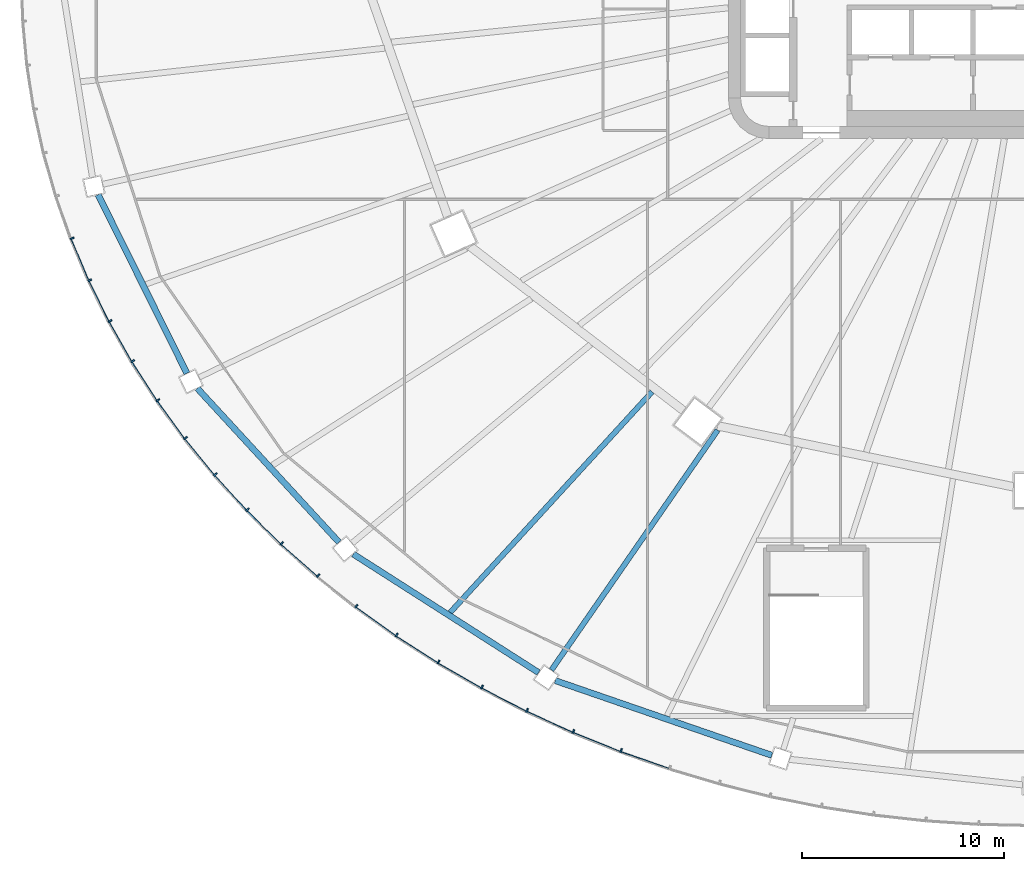
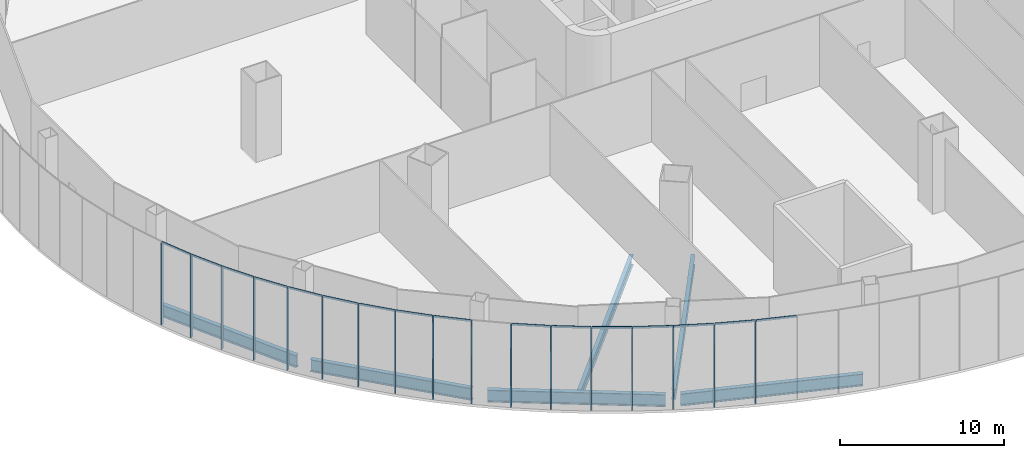
# One storey, part 2 of 33: 33 members, 6 beams, 4 elements without a shape of their own.
"""IFC4 building model written with IfcOpenShell, lengths in metres."""

from ifc_helpers import new_model, si_unit, direction, frame, origin, origin_2d, place, context, subcontext, project, spatial, rectangle, i_section, extrude, material, layer, layer_set, material_profile, profile_set, type_object, element, aggregate, save


model = new_model("IFC4")

# Units and contexts
model_context = context("Model", 3, precision=1e-05, world=origin(), true_north=direction((0.0, 1.0)))
body_context = subcontext(model_context, "Body", "Model", "MODEL_VIEW")
ifc_project = project(units=[si_unit("LENGTHUNIT", "METRE"), si_unit("AREAUNIT", "SQUARE_METRE"), si_unit("VOLUMEUNIT", "CUBIC_METRE"), si_unit("PLANEANGLEUNIT", "RADIAN"), si_unit("MASSUNIT", "GRAM", prefix="KILO")], contexts=[model_context])

# Site, building, storey
site_placement = place(None, origin())
site = spatial("IfcSite", under=ifc_project, at=site_placement, CompositionType="ELEMENT")
building_placement = place(site_placement, origin())
building = spatial("IfcBuilding", under=site, at=building_placement, Name="Sahrelin Media Tower", CompositionType="ELEMENT")
storey_placement = place(building_placement, frame((0.0, 0.0, 37.39990234375)))
storey = spatial("IfcBuildingStorey", under=building, at=storey_placement, Name="L05", CompositionType="ELEMENT", Elevation=37.39990234375)

# Curtain wall, members
ifc_material_1 = material(Name="Champagne anodised aluminium 6063-T6", Category="aluminium")
ifc_layer = layer(ifc_material_1, 0.14990234375)
ifc_layer_set = layer_set([ifc_layer], Name="Podium ribbon curtain wall")
curtain_wall_type = type_object("IfcCurtainWallType", Name="Podium ribbon curtain wall", PredefinedType="NOTDEFINED", material=ifc_layer_set)
curtain_wall_1_placement = place(storey_placement, frame((-48.29638671875, -10.870361328125, 0.0), z_axis=(0.0, 0.0, 1.0), x_axis=(1.0, 0.0, 0.0)))
curtain_wall_1 = element("IfcCurtainWall", 1, at=curtain_wall_1_placement, inside=storey, type_object=curtain_wall_type, Name="L05:CW:L05-P13", PredefinedType="NOTDEFINED")
ifc_material_profile_1 = material_profile(ifc_material_1, rectangle(XDim=0.080078125, YDim=0.199951171875, at=origin_2d()), Name="Mullion 80x200")
ifc_profile_set_1 = profile_set([ifc_material_profile_1], Name="Champagne anodised aluminium 6063-T6")
member_type_1 = type_object("IfcMemberType", Name="Mullion 80x200 CW5", PredefinedType="MULLION", material=ifc_profile_set_1)
member_1_placement = place(storey_placement, frame((-47.442138671875, -12.93212890625, 0.0), z_axis=(0.0, 0.0, 1.0), x_axis=(0.388450189752, -0.921469722824, 0.0)))
member_1 = element("IfcMember", 2, at=member_1_placement, type_object=member_type_1, Name="L05:CWM2:L05-P13", PredefinedType="MULLION", context=body_context, shape_type="SweptSolid", body=[
    extrude(rectangle(XDim=0.080078125, YDim=0.199951171875, at=origin_2d()), origin(), (0.0, 0.0, 1.0), 6.10009765625),
])
member_2_placement = place(storey_placement, frame((-46.5712890625, -14.998291015625, 0.0), z_axis=(0.0, 0.0, 1.0), x_axis=(0.442262079274, -0.896885864108, 0.0)))
member_2 = element("IfcMember", 3, at=member_2_placement, type_object=member_type_1, Name="L05:CWM3:L05-P13", PredefinedType="MULLION", context=body_context, shape_type="SweptSolid", body=[
    extrude(rectangle(XDim=0.080078125, YDim=0.199951171875, at=origin_2d()), origin(), (0.0, 0.0, 1.0), 6.10009765625),
])
member_3_placement = place(storey_placement, frame((-45.572998046875, -17.023681640625, 0.0), z_axis=(0.0, 0.0, 1.0), x_axis=(0.493787068155, -0.869582849028, 0.0)))
member_3 = element("IfcMember", 4, at=member_3_placement, type_object=member_type_1, Name="L05:CWM4:L05-P13", PredefinedType="MULLION", context=body_context, shape_type="SweptSolid", body=[
    extrude(rectangle(XDim=0.080078125, YDim=0.199951171875, at=origin_2d()), origin(), (0.0, 0.0, 1.0), 6.10009765625),
])
member_4_placement = place(storey_placement, frame((-44.449462890625, -19.00244140625, 0.0), z_axis=(0.0, 0.0, 1.0), x_axis=(0.542830032192, -0.839842578196, 0.0)))
member_4 = element("IfcMember", 5, at=member_4_placement, type_object=member_type_1, Name="L05:CWM5:L05-P13", PredefinedType="MULLION", context=body_context, shape_type="SweptSolid", body=[
    extrude(rectangle(XDim=0.080078125, YDim=0.199951171875, at=origin_2d()), origin(), (0.0, 0.0, 1.0), 6.10009765625),
])

curtain_wall_2_placement = place(storey_placement, frame((-43.30126953125, -21.0, 0.0), z_axis=(0.0, 0.0, 1.0), x_axis=(1.0, 0.0, 0.0)))
curtain_wall_2 = element("IfcCurtainWall", 6, at=curtain_wall_2_placement, inside=storey, type_object=curtain_wall_type, Name="L05:CW:L05-P14", PredefinedType="NOTDEFINED")
member_5_placement = place(storey_placement, frame((-43.204345703125, -20.92919921875, 0.0), z_axis=(0.0, 0.0, 1.0), x_axis=(0.589385309161, -0.807852064022, 0.0)))
member_5 = element("IfcMember", 7, at=member_5_placement, type_object=member_type_1, Name="L05:CWM1:L05-P14", PredefinedType="MULLION", context=body_context, shape_type="SweptSolid", body=[
    extrude(rectangle(XDim=0.080078125, YDim=0.199951171875, at=origin_2d()), origin(), (0.0, 0.0, 1.0), 6.10009765625),
])
member_6_placement = place(storey_placement, frame((-41.840576171875, -22.798828125, 0.0), z_axis=(0.0, 0.0, 1.0), x_axis=(0.633234995933, -0.77395958546, 0.0)))
member_6 = element("IfcMember", 8, at=member_6_placement, type_object=member_type_1, Name="L05:CWM2:L05-P14", PredefinedType="MULLION", context=body_context, shape_type="SweptSolid", body=[
    extrude(rectangle(XDim=0.080078125, YDim=0.199951171875, at=origin_2d()), origin(), (0.0, 0.0, 1.0), 6.10009765625),
])
member_7_placement = place(storey_placement, frame((-40.3623046875, -24.606201171875, 0.0), z_axis=(0.0, 0.0, 1.0), x_axis=(0.67442997344, -0.738338818514, 0.0)))
member_7 = element("IfcMember", 9, at=member_7_placement, type_object=member_type_1, Name="L05:CWM3:L05-P14", PredefinedType="MULLION", context=body_context, shape_type="SweptSolid", body=[
    extrude(rectangle(XDim=0.080078125, YDim=0.199951171875, at=origin_2d()), origin(), (0.0, 0.0, 1.0), 6.10009765625),
])
member_8_placement = place(storey_placement, frame((-38.773193359375, -26.345947265625, 0.0), z_axis=(0.0, 0.0, 1.0), x_axis=(0.712973923933, -0.70119054742, 0.0)))
member_8 = element("IfcMember", 10, at=member_8_placement, type_object=member_type_1, Name="L05:CWM4:L05-P14", PredefinedType="MULLION", context=body_context, shape_type="SweptSolid", body=[
    extrude(rectangle(XDim=0.080078125, YDim=0.199951171875, at=origin_2d()), origin(), (0.0, 0.0, 1.0), 6.10009765625),
])
member_9_placement = place(storey_placement, frame((-37.07763671875, -28.013671875, 0.0), z_axis=(0.0, 0.0, 1.0), x_axis=(0.748788005735, -0.662809567272, 0.0)))
member_9 = element("IfcMember", 11, at=member_9_placement, type_object=member_type_1, Name="L05:CWM5:L05-P14", PredefinedType="MULLION", context=body_context, shape_type="SweptSolid", body=[
    extrude(rectangle(XDim=0.080078125, YDim=0.199951171875, at=origin_2d()), origin(), (0.0, 0.0, 1.0), 6.10009765625),
])

curtain_wall_3_placement = place(storey_placement, frame((-35.355224609375, -29.698486328125, 0.0), z_axis=(0.0, 0.0, 1.0), x_axis=(1.0, 0.0, 0.0)))
curtain_wall_3 = element("IfcCurtainWall", 12, at=curtain_wall_3_placement, inside=storey, type_object=curtain_wall_type, Name="L05:CW:L05-P15", PredefinedType="NOTDEFINED")
member_10_placement = place(storey_placement, frame((-35.280517578125, -29.604736328125, 0.0), z_axis=(0.0, 0.0, 1.0), x_axis=(0.781960183728, -0.623328381405, 0.0)))
member_10 = element("IfcMember", 13, at=member_10_placement, type_object=member_type_1, Name="L05:CWM1:L05-P15", PredefinedType="MULLION", context=body_context, shape_type="SweptSolid", body=[
    extrude(rectangle(XDim=0.080078125, YDim=0.199951171875, at=origin_2d()), origin(), (0.0, 0.0, 1.0), 6.10009765625),
])
member_11_placement = place(storey_placement, frame((-33.38671875, -31.114501953125, 0.0), z_axis=(0.0, 0.0, 1.0), x_axis=(0.812532432251, -0.582915985834, 0.0)))
member_11 = element("IfcMember", 14, at=member_11_placement, type_object=member_type_1, Name="L05:CWM2:L05-P15", PredefinedType="MULLION", context=body_context, shape_type="SweptSolid", body=[
    extrude(rectangle(XDim=0.080078125, YDim=0.199951171875, at=origin_2d()), origin(), (0.0, 0.0, 1.0), 6.10009765625),
])
member_12_placement = place(storey_placement, frame((-31.40087890625, -32.539306640625, 0.0), z_axis=(0.0, 0.0, 1.0), x_axis=(0.840519327336, -0.541781561494, 0.0)))
member_12 = element("IfcMember", 15, at=member_12_placement, type_object=member_type_1, Name="L05:CWM3:L05-P15", PredefinedType="MULLION", context=body_context, shape_type="SweptSolid", body=[
    extrude(rectangle(XDim=0.080078125, YDim=0.199951171875, at=origin_2d()), origin(), (0.0, 0.0, 1.0), 6.10009765625),
])
member_13_placement = place(storey_placement, frame((-29.329345703125, -33.874755859375, 0.0), z_axis=(0.0, 0.0, 1.0), x_axis=(0.866028894422, -0.49999395399, 0.0)))
member_13 = element("IfcMember", 16, at=member_13_placement, type_object=member_type_1, Name="L05:CWM4:L05-P15", PredefinedType="MULLION", context=body_context, shape_type="SweptSolid", body=[
    extrude(rectangle(XDim=0.080078125, YDim=0.199951171875, at=origin_2d()), origin(), (0.0, 0.0, 1.0), 6.10009765625),
])
member_14_placement = place(storey_placement, frame((-27.177001953125, -35.117431640625, 0.0), z_axis=(0.0, 0.0, 1.0), x_axis=(0.889123403251, -0.457667536309, 0.0)))
member_14 = element("IfcMember", 17, at=member_14_placement, type_object=member_type_1, Name="L05:CWM5:L05-P15", PredefinedType="MULLION", context=body_context, shape_type="SweptSolid", body=[
    extrude(rectangle(XDim=0.080078125, YDim=0.199951171875, at=origin_2d()), origin(), (0.0, 0.0, 1.0), 6.10009765625),
])

curtain_wall_4_placement = place(storey_placement, frame((-25.0, -36.373046875, 0.0), z_axis=(0.0, 0.0, 1.0), x_axis=(1.0, 0.0, 0.0)))
curtain_wall_4 = element("IfcCurtainWall", 18, at=curtain_wall_4_placement, inside=storey, type_object=curtain_wall_type, Name="L05:CW:L05-P16", PredefinedType="NOTDEFINED")
member_15_placement = place(storey_placement, frame((-24.9501953125, -36.263916015625, 0.0), z_axis=(0.0, 0.0, 1.0), x_axis=(0.909841810065, -0.414955275491, 0.0)))
member_15 = element("IfcMember", 19, at=member_15_placement, type_object=member_type_1, Name="L05:CWM1:L05-P16", PredefinedType="MULLION", context=body_context, shape_type="SweptSolid", body=[
    extrude(rectangle(XDim=0.080078125, YDim=0.199951171875, at=origin_2d()), origin(), (0.0, 0.0, 1.0), 6.10009765625),
])
member_16_placement = place(storey_placement, frame((-22.65478515625, -37.310791015625, 0.0), z_axis=(0.0, 0.0, 1.0), x_axis=(0.928270482181, -0.371905783648, 0.0)))
member_16 = element("IfcMember", 20, at=member_16_placement, type_object=member_type_1, Name="L05:CWM2:L05-P16", PredefinedType="MULLION", context=body_context, shape_type="SweptSolid", body=[
    extrude(rectangle(XDim=0.080078125, YDim=0.199951171875, at=origin_2d()), origin(), (0.0, 0.0, 1.0), 6.10009765625),
])
member_17_placement = place(storey_placement, frame((-20.29736328125, -38.255615234375, 0.0), z_axis=(0.0, 0.0, 1.0), x_axis=(0.944458420046, -0.328630937077, 0.0)))
member_17 = element("IfcMember", 21, at=member_17_placement, type_object=member_type_1, Name="L05:CWM3:L05-P16", PredefinedType="MULLION", context=body_context, shape_type="SweptSolid", body=[
    extrude(rectangle(XDim=0.080078125, YDim=0.199951171875, at=origin_2d()), origin(), (0.0, 0.0, 1.0), 6.10009765625),
])

# Beams
ifc_material_2 = material(Name="Steel S355", Category="steel")
ifc_material_profile_2 = material_profile(ifc_material_2, i_section(OverallWidth=0.30322265625, OverallDepth=0.903076171875, WebThickness=0.01513671875, FlangeThickness=0.020263671875, FilletRadius=0.01904296875, at=origin_2d()), Name="UB 914x305x201")
ifc_profile_set_2 = profile_set([ifc_material_profile_2], Name="Steel S355")
beam_type_1 = type_object("IfcBeamType", Name="Podium edge girder PE11", PredefinedType="BEAM", material=ifc_profile_set_2)
beam_1_placement = place(storey_placement, frame((-46.158203125, -10.767822265625, -0.6513671875), z_axis=(0.445112588569, -0.895474613541, 0.0), x_axis=(0.895474613541, 0.445112588569, 0.0)))
element("IfcBeam", 22, at=beam_1_placement, inside=storey, type_object=beam_type_1, Name="Podium edge girder L05-14", PredefinedType="BEAM", context=body_context, shape_type="SweptSolid", body=[
    extrude(i_section(OverallWidth=0.30322265625, OverallDepth=0.903076171875, WebThickness=0.01513671875, FlangeThickness=0.020263671875, FilletRadius=0.01904296875, at=origin_2d()), origin(), (0.0, 0.0, 1.0), 9.859619140625),
])
beam_2_placement = place(storey_placement, frame((-41.25048828125, -20.34619140625, -0.6513671875), z_axis=(0.677370529771, -0.735642008995, 0.0), x_axis=(0.735642008995, 0.677370529771, 0.0)))
element("IfcBeam", 23, at=beam_2_placement, inside=storey, type_object=beam_type_1, Name="Podium edge girder L05-15", PredefinedType="BEAM", context=body_context, shape_type="SweptSolid", body=[
    extrude(i_section(OverallWidth=0.30322265625, OverallDepth=0.903076171875, WebThickness=0.01513671875, FlangeThickness=0.020263671875, FilletRadius=0.01904296875, at=origin_2d()), origin(), (0.0, 0.0, 1.0), 10.340087890625),
])
beam_3_placement = place(storey_placement, frame((-33.54345703125, -28.53857421875, -0.6513671875), z_axis=(0.842485743715, -0.538718638657, 0.0), x_axis=(0.538718638657, 0.842485743715, 0.0)))
element("IfcBeam", 24, at=beam_3_placement, inside=storey, type_object=beam_type_1, Name="Podium edge girder L05-16", PredefinedType="BEAM", context=body_context, shape_type="SweptSolid", body=[
    extrude(i_section(OverallWidth=0.30322265625, OverallDepth=0.903076171875, WebThickness=0.01513671875, FlangeThickness=0.020263671875, FilletRadius=0.01904296875, at=origin_2d()), origin(), (0.0, 0.0, 1.0), 10.87744140625),
])
beam_4_placement = place(storey_placement, frame((-23.55810546875, -34.79345703125, -0.6513671875), z_axis=(0.94527240249, -0.32628221694, 0.0), x_axis=(0.32628221694, 0.94527240249, 0.0)))
element("IfcBeam", 25, at=beam_4_placement, inside=storey, type_object=beam_type_1, Name="Podium edge girder L05-17", PredefinedType="BEAM", context=body_context, shape_type="SweptSolid", body=[
    extrude(i_section(OverallWidth=0.30322265625, OverallDepth=0.903076171875, WebThickness=0.01513671875, FlangeThickness=0.020263671875, FilletRadius=0.01904296875, at=origin_2d()), origin(), (0.0, 0.0, 1.0), 11.329345703125),
])
ifc_material_profile_3 = material_profile(ifc_material_2, i_section(OverallWidth=0.26513671875, OverallDepth=0.75390625, WebThickness=0.0126953125, FlangeThickness=0.017578125, FilletRadius=0.0166015625, at=origin_2d()), Name="UB 762x267x147")
ifc_profile_set_3 = profile_set([ifc_material_profile_3], Name="Steel S355")
beam_type_2 = type_object("IfcBeamType", Name="Radial primary beam PB9", PredefinedType="BEAM", material=ifc_profile_set_3)
beam_5_placement = place(storey_placement, frame((-15.527099609375, -22.411376953125, -0.576904296875), z_axis=(-0.569493278726, -0.821995988729, 0.0), x_axis=(0.821995988729, -0.569493278726, 0.0)))
element("IfcBeam", 26, at=beam_5_placement, inside=storey, type_object=beam_type_2, Name="Radial beam L05-19", PredefinedType="BEAM", context=body_context, shape_type="SweptSolid", body=[
    extrude(i_section(OverallWidth=0.26513671875, OverallDepth=0.75390625, WebThickness=0.0126953125, FlangeThickness=0.017578125, FilletRadius=0.0166015625, at=origin_2d()), origin(), (0.0, 0.0, 1.0), 14.427734375),
])
ifc_material_profile_4 = material_profile(ifc_material_2, i_section(OverallWidth=0.26513671875, OverallDepth=0.75390625, WebThickness=0.0126953125, FlangeThickness=0.017578125, FilletRadius=0.0166015625, at=origin_2d()), Name="UB 762x267x147")
ifc_profile_set_4 = profile_set([ifc_material_profile_4], Name="Steel S355")
beam_type_3 = type_object("IfcBeamType", Name="Radial secondary beam SB9", PredefinedType="BEAM", material=ifc_profile_set_4)
beam_6_placement = place(storey_placement, frame((-18.7685546875, -20.514892578125, -0.576904296875), z_axis=(-0.675004282666, -0.737813810106, 0.0), x_axis=(0.737813810106, -0.675004282666, 0.0)))
element("IfcBeam", 27, at=beam_6_placement, inside=storey, type_object=beam_type_3, Name="Secondary beam L05-16", PredefinedType="BEAM", context=body_context, shape_type="SweptSolid", body=[
    extrude(i_section(OverallWidth=0.26513671875, OverallDepth=0.75390625, WebThickness=0.0126953125, FlangeThickness=0.017578125, FilletRadius=0.0166015625, at=origin_2d()), origin(), (0.0, 0.0, 1.0), 14.7861328125),
])

# Member
ifc_material_profile_5 = material_profile(ifc_material_1, rectangle(XDim=0.06005859375, YDim=0.14990234375, at=origin_2d()), Name="Transom 60x150")
ifc_profile_set_5 = profile_set([ifc_material_profile_5], Name="Champagne anodised aluminium 6063-T6")
member_type_2 = type_object("IfcMemberType", Name="Transom 60x150 CW5", PredefinedType="USERDEFINED", material=ifc_profile_set_5)
member_18_placement = place(storey_placement, frame((-47.4873046875, -13.00537109375, 6.175048828125), z_axis=(0.388513504785, -0.921443029492, 0.0), x_axis=(0.921443029492, 0.388513504785, 0.0)))
member_18 = element("IfcMember", 28, at=member_18_placement, type_object=member_type_2, Name="L05:CWT2a:L05-P13", ObjectType="TRANSOM", PredefinedType="USERDEFINED", context=body_context, shape_type="SweptSolid", body=[
    extrude(rectangle(XDim=0.06005859375, YDim=0.14990234375, at=origin_2d()), origin(), (0.0, 0.0, 1.0), 2.199462890625),
])

member_19_placement = place(storey_placement, frame((-46.612060546875, -15.07421875, 6.175048828125), z_axis=(0.442224467513, -0.896904409808, 0.0), x_axis=(0.896904409808, 0.442224467513, 0.0)))
member_19 = element("IfcMember", 29, at=member_19_placement, type_object=member_type_2, Name="L05:CWT3a:L05-P13", ObjectType="TRANSOM", PredefinedType="USERDEFINED", context=body_context, shape_type="SweptSolid", body=[
    extrude(rectangle(XDim=0.06005859375, YDim=0.14990234375, at=origin_2d()), origin(), (0.0, 0.0, 1.0), 2.21484375),
])

member_20_placement = place(storey_placement, frame((-45.609130859375, -17.101806640625, 6.175048828125), z_axis=(0.493793305481, -0.869579307172, 0.0), x_axis=(0.869579307172, 0.493793305481, 0.0)))
member_20 = element("IfcMember", 30, at=member_20_placement, type_object=member_type_2, Name="L05:CWT4a:L05-P13", ObjectType="TRANSOM", PredefinedType="USERDEFINED", context=body_context, shape_type="SweptSolid", body=[
    extrude(rectangle(XDim=0.06005859375, YDim=0.14990234375, at=origin_2d()), origin(), (0.0, 0.0, 1.0), 2.232421875),
])

member_21_placement = place(storey_placement, frame((-44.481201171875, -19.08251953125, 6.175048828125), z_axis=(0.542855461476, -0.8398261415, 0.0), x_axis=(0.8398261415, 0.542855461476, 0.0)))
member_21 = element("IfcMember", 31, at=member_21_placement, type_object=member_type_2, Name="L05:CWT5a:L05-P13", ObjectType="TRANSOM", PredefinedType="USERDEFINED", context=body_context, shape_type="SweptSolid", body=[
    extrude(rectangle(XDim=0.06005859375, YDim=0.14990234375, at=origin_2d()), origin(), (0.0, 0.0, 1.0), 2.2509765625),
])

aggregate(curtain_wall_1, [member_1, member_18, member_2, member_19, member_3, member_20, member_4, member_21])

member_22_placement = place(storey_placement, frame((-43.2314453125, -21.010986328125, 6.175048828125), z_axis=(0.589436833423, -0.807814470906, 0.0), x_axis=(0.807814470906, 0.589436833423, 0.0)))
member_22 = element("IfcMember", 32, at=member_22_placement, type_object=member_type_2, Name="L05:CWT1a:L05-P14", ObjectType="TRANSOM", PredefinedType="USERDEFINED", context=body_context, shape_type="SweptSolid", body=[
    extrude(rectangle(XDim=0.06005859375, YDim=0.14990234375, at=origin_2d()), origin(), (0.0, 0.0, 1.0), 2.2705078125),
])

member_23_placement = place(storey_placement, frame((-41.863037109375, -22.8818359375, 6.175048828125), z_axis=(0.633220383586, -0.773971540698, 0.0), x_axis=(0.773971540698, 0.633220383586, 0.0)))
member_23 = element("IfcMember", 33, at=member_23_placement, type_object=member_type_2, Name="L05:CWT2a:L05-P14", ObjectType="TRANSOM", PredefinedType="USERDEFINED", context=body_context, shape_type="SweptSolid", body=[
    extrude(rectangle(XDim=0.06005859375, YDim=0.14990234375, at=origin_2d()), origin(), (0.0, 0.0, 1.0), 2.291259765625),
])

member_24_placement = place(storey_placement, frame((-40.380126953125, -24.690185546875, 6.175048828125), z_axis=(0.674452068042, -0.738318635762, 0.0), x_axis=(0.738318635762, 0.674452068042, 0.0)))
member_24 = element("IfcMember", 34, at=member_24_placement, type_object=member_type_2, Name="L05:CWT3a:L05-P14", ObjectType="TRANSOM", PredefinedType="USERDEFINED", context=body_context, shape_type="SweptSolid", body=[
    extrude(rectangle(XDim=0.06005859375, YDim=0.14990234375, at=origin_2d()), origin(), (0.0, 0.0, 1.0), 2.312744140625),
])

member_25_placement = place(storey_placement, frame((-38.78662109375, -26.430908203125, 6.175048828125), z_axis=(0.712990568358, -0.701173622887, 0.0), x_axis=(0.701173622887, 0.712990568358, 0.0)))
member_25 = element("IfcMember", 35, at=member_25_placement, type_object=member_type_2, Name="L05:CWT4a:L05-P14", ObjectType="TRANSOM", PredefinedType="USERDEFINED", context=body_context, shape_type="SweptSolid", body=[
    extrude(rectangle(XDim=0.06005859375, YDim=0.14990234375, at=origin_2d()), origin(), (0.0, 0.0, 1.0), 2.334716796875),
])

member_26_placement = place(storey_placement, frame((-37.086669921875, -28.09912109375, 6.175048828125), z_axis=(0.74874536596, -0.662857735078, 0.0), x_axis=(0.662857735078, 0.74874536596, 0.0)))
member_26 = element("IfcMember", 36, at=member_26_placement, type_object=member_type_2, Name="L05:CWT5a:L05-P14", ObjectType="TRANSOM", PredefinedType="USERDEFINED", context=body_context, shape_type="SweptSolid", body=[
    extrude(rectangle(XDim=0.06005859375, YDim=0.14990234375, at=origin_2d()), origin(), (0.0, 0.0, 1.0), 2.3564453125),
])

aggregate(curtain_wall_2, [member_5, member_22, member_6, member_23, member_7, member_24, member_8, member_25, member_9, member_26])

member_27_placement = place(storey_placement, frame((-33.38671875, -31.20068359375, 6.175048828125), z_axis=(0.812494250999, -0.582969203384, 0.0), x_axis=(0.582969203384, 0.812494250999, 0.0)))
member_27 = element("IfcMember", 37, at=member_27_placement, type_object=member_type_2, Name="L05:CWT2a:L05-P15", ObjectType="TRANSOM", PredefinedType="USERDEFINED", context=body_context, shape_type="SweptSolid", body=[
    extrude(rectangle(XDim=0.06005859375, YDim=0.14990234375, at=origin_2d()), origin(), (0.0, 0.0, 1.0), 2.399658203125),
])

member_28_placement = place(storey_placement, frame((-31.39697265625, -32.625244140625, 6.175048828125), z_axis=(0.840515923585, -0.541786842033, 0.0), x_axis=(0.541786842033, 0.840515923585, 0.0)))
member_28 = element("IfcMember", 38, at=member_28_placement, type_object=member_type_2, Name="L05:CWT3a:L05-P15", ObjectType="TRANSOM", PredefinedType="USERDEFINED", context=body_context, shape_type="SweptSolid", body=[
    extrude(rectangle(XDim=0.06005859375, YDim=0.14990234375, at=origin_2d()), origin(), (0.0, 0.0, 1.0), 2.420654296875),
])

member_29_placement = place(storey_placement, frame((-29.321044921875, -33.96044921875, 6.175048828125), z_axis=(0.866037355757, -0.499979298005, 0.0), x_axis=(0.499979298005, 0.866037355757, 0.0)))
member_29 = element("IfcMember", 39, at=member_29_placement, type_object=member_type_2, Name="L05:CWT4a:L05-P15", ObjectType="TRANSOM", PredefinedType="USERDEFINED", context=body_context, shape_type="SweptSolid", body=[
    extrude(rectangle(XDim=0.06005859375, YDim=0.14990234375, at=origin_2d()), origin(), (0.0, 0.0, 1.0), 2.44091796875),
])

member_30_placement = place(storey_placement, frame((-27.164794921875, -35.20263671875, 6.175048828125), z_axis=(0.889147091366, -0.457621513824, 0.0), x_axis=(0.457621513824, 0.889147091366, 0.0)))
member_30 = element("IfcMember", 40, at=member_30_placement, type_object=member_type_2, Name="L05:CWT5a:L05-P15", ObjectType="TRANSOM", PredefinedType="USERDEFINED", context=body_context, shape_type="SweptSolid", body=[
    extrude(rectangle(XDim=0.06005859375, YDim=0.14990234375, at=origin_2d()), origin(), (0.0, 0.0, 1.0), 2.46044921875),
])

aggregate(curtain_wall_3, [member_10, member_11, member_27, member_12, member_28, member_13, member_29, member_14, member_30])

member_31_placement = place(storey_placement, frame((-24.933837890625, -36.348388671875, 6.175048828125), z_axis=(0.909869936632, -0.414893598906, 0.0), x_axis=(0.414893598906, 0.909869936632, 0.0)))
member_31 = element("IfcMember", 41, at=member_31_placement, type_object=member_type_2, Name="L05:CWT1a:L05-P16", ObjectType="TRANSOM", PredefinedType="USERDEFINED", context=body_context, shape_type="SweptSolid", body=[
    extrude(rectangle(XDim=0.06005859375, YDim=0.14990234375, at=origin_2d()), origin(), (0.0, 0.0, 1.0), 2.478515625),
])

member_32_placement = place(storey_placement, frame((-22.634521484375, -37.39453125, 6.175048828125), z_axis=(0.928280887293, -0.371879811615, 0.0), x_axis=(0.371879811615, 0.928280887293, 0.0)))
member_32 = element("IfcMember", 42, at=member_32_placement, type_object=member_type_2, Name="L05:CWT2a:L05-P16", ObjectType="TRANSOM", PredefinedType="USERDEFINED", context=body_context, shape_type="SweptSolid", body=[
    extrude(rectangle(XDim=0.06005859375, YDim=0.14990234375, at=origin_2d()), origin(), (0.0, 0.0, 1.0), 2.495361328125),
])

member_33_placement = place(storey_placement, frame((-20.273193359375, -38.338134765625, 6.175048828125), z_axis=(0.944469242615, -0.328599832248, 0.0), x_axis=(0.328599832248, 0.944469242615, 0.0)))
member_33 = element("IfcMember", 43, at=member_33_placement, type_object=member_type_2, Name="L05:CWT3a:L05-P16", ObjectType="TRANSOM", PredefinedType="USERDEFINED", context=body_context, shape_type="SweptSolid", body=[
    extrude(rectangle(XDim=0.06005859375, YDim=0.14990234375, at=origin_2d()), origin(), (0.0, 0.0, 1.0), 2.510498046875),
])

aggregate(curtain_wall_4, [member_15, member_31, member_16, member_32, member_17, member_33])

save(model, "model.ifc")
